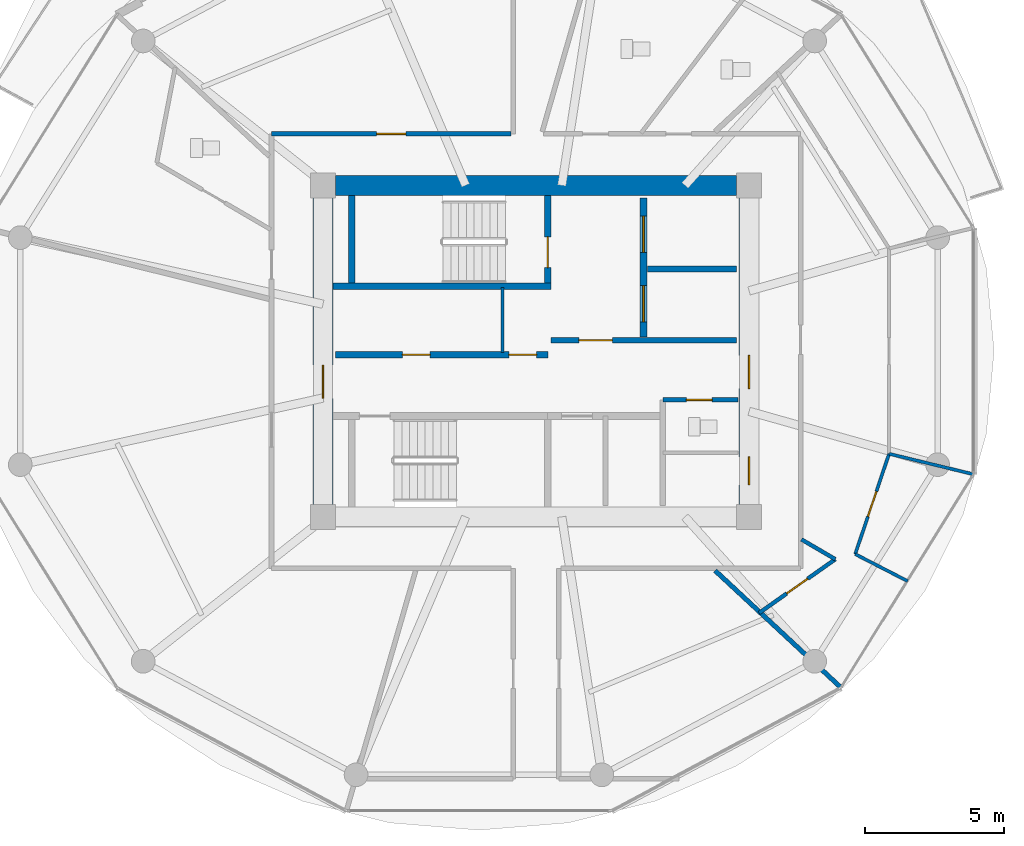
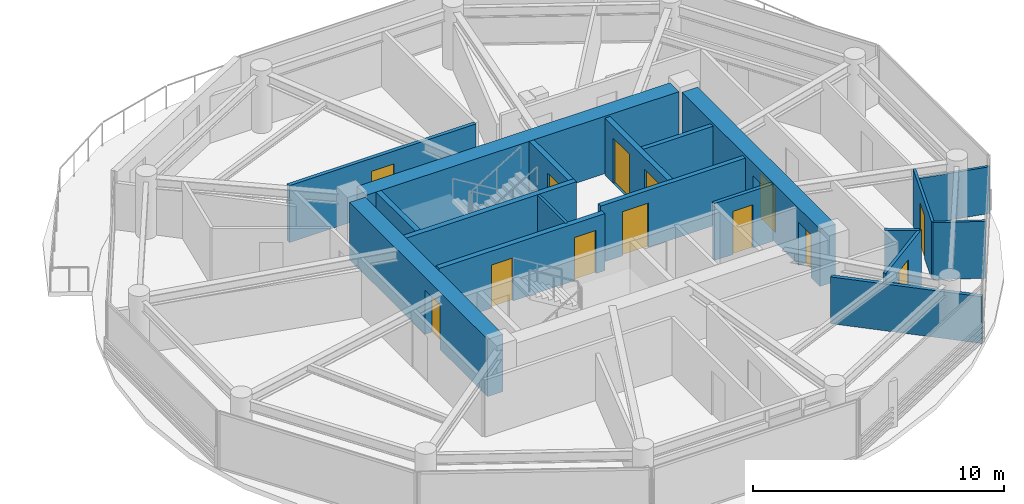
# One storey, part 16 of 24: 19 walls, 13 doors, 13 openings.
"""IFC4 building model written with IfcOpenShell, lengths in metres."""

from ifc_helpers import new_model, si_unit, direction, frame, frame_2d, origin, place, context, subcontext, project, spatial, rectangle, extrude, source, transform, mapped, material, layer, layer_set, type_object, type_shapes, element, fill, save


model = new_model("IFC4")

# Units and contexts
model_context = context("Model", 3, precision=1e-05, world=origin(), true_north=direction((0.0, 1.0)))
body_context = subcontext(model_context, "Body", "Model", "MODEL_VIEW")
ifc_project = project(units=[si_unit("LENGTHUNIT", "METRE"), si_unit("AREAUNIT", "SQUARE_METRE"), si_unit("VOLUMEUNIT", "CUBIC_METRE"), si_unit("PLANEANGLEUNIT", "RADIAN"), si_unit("MASSUNIT", "GRAM", prefix="KILO")], contexts=[model_context])

# Site, building, storey
site_placement = place(None, origin())
site = spatial("IfcSite", under=ifc_project, at=site_placement, CompositionType="ELEMENT")
building_placement = place(site_placement, origin())
building = spatial("IfcBuilding", under=site, at=building_placement, Name="Norrkilde Senior Care Towers", CompositionType="ELEMENT")
storey_placement = place(building_placement, frame((0.0, 0.0, 114.550048828125)))
storey = spatial("IfcBuildingStorey", under=building, at=storey_placement, Name="L35", CompositionType="ELEMENT", Elevation=114.550048828125)

# Wall
ifc_material_1 = material(Name="Concrete C60/75", Category="concrete")
ifc_layer_1 = layer(ifc_material_1, 0.719970703125)
ifc_layer_set_1 = layer_set([ifc_layer_1], Name="Concrete C60/75")
wall_type_1 = type_object("IfcWallType", Name="Core Shear Wall Z2 720", PredefinedType="SHEAR", material=ifc_layer_set_1)
shared_shape_1 = source(origin(), body_context, "Body", "SweptSolid", [
    extrude(rectangle(XDim=14.39990234375, YDim=0.719970703125, at=frame_2d((7.199951171875, 0.0))), origin(), (0.0, 0.0, 1.0), 2.7900390625),
])
wall_1_placement = place(storey_placement, frame((20.800048828125, 5.949951171875, 0.0), z_axis=(0.0, 0.0, 1.0), x_axis=(1.0, 0.0, 0.0)))
element("IfcWall", 1, at=wall_1_placement, inside=storey, type_object=wall_type_1, Name="L35 Core E North Shear Wall", PredefinedType="SHEAR", context=body_context, shape_type="MappedRepresentation", body=[
    mapped(shared_shape_1, transform((0.0, 0.0, 0.0), x_axis=(1.0, 0.0, 0.0), y_axis=(0.0, 1.0, 0.0), z_axis=(0.0, 0.0, 1.0), scale=1.0)),
])

# Wall, opening, door
shared_shape_2 = source(origin(), body_context, "Body", "SweptSolid", [
    extrude(rectangle(XDim=11.0, YDim=0.719970703125, at=frame_2d((5.5, 0.0))), origin(), (0.0, 0.0, 1.0), 2.7900390625),
])
type_shapes(wall_type_1, [shared_shape_1, shared_shape_2])
wall_2_placement = place(storey_placement, frame((20.35009765625, -5.5, 0.0), z_axis=(0.0, 0.0, 1.0), x_axis=(0.0, 1.0, 0.0)))
wall_2 = element("IfcWall", 2, at=wall_2_placement, inside=storey, type_object=wall_type_1, Name="L35 Core E West Shear Wall", PredefinedType="SHEAR", context=body_context, shape_type="MappedRepresentation", body=[
    mapped(shared_shape_2, transform((0.0, 0.0, 0.0), x_axis=(1.0, 0.0, 0.0), y_axis=(0.0, 1.0, 0.0), z_axis=(0.0, 0.0, 1.0), scale=1.0)),
])
opening_1_placement = place(wall_2_placement, frame((3.800048828125, 0.0, 0.0)))
opening_1 = element("IfcOpeningElement", 3, at=opening_1_placement, cuts=wall_2, Name="Opening D-04", PredefinedType="OPENING", context=body_context, shape_type="SweptSolid", body=[
    extrude(rectangle(XDim=1.199951171875, YDim=2.14990234375, at=frame_2d((0.60009765625, 1.074951171875))), frame((0.0, 0.369873046875, 0.0), z_axis=(0.0, -1.0, 0.0), x_axis=(1.0, 0.0, 0.0)), (0.0, 0.0, 1.0), 0.739990234375),
])
ifc_material_2 = material(Name="Galvanised Painted Steel", Category="steel")
door_type_1 = type_object("IfcDoorType", Name="Firefighting Lobby Fire Door 1200x2150", OperationType="NOTDEFINED", PredefinedType="DOOR", material=ifc_material_2)
shared_shape_3 = source(origin(), body_context, "Body", "SweptSolid", [
    extrude(rectangle(XDim=1.199951171875, YDim=2.14990234375, at=frame_2d((0.60009765625, 1.074951171875))), frame((0.0, 0.02490234375, 0.0), z_axis=(0.0, -1.0, 0.0), x_axis=(1.0, 0.0, 0.0)), (0.0, 0.0, 1.0), 0.050048828125),
])
type_shapes(door_type_1, [shared_shape_3])
door_1_placement = place(opening_1_placement, frame((1.199951171875, 0.0, 0.0), z_axis=(0.0, 0.0, 1.0), x_axis=(-1.0, 0.0, 0.0)))
door_1 = element("IfcDoor", 4, at=door_1_placement, inside=storey, type_object=door_type_1, Name="L35 Core E West Portal Door", OperationType="SINGLE_SWING_LEFT", OverallHeight=2.14990234375, OverallWidth=1.199951171875, PredefinedType="DOOR", context=body_context, shape_type="MappedRepresentation", body=[
    mapped(shared_shape_3, transform((0.0, 0.0, 0.0), x_axis=(1.0, 0.0, 0.0), y_axis=(0.0, 1.0, 0.0), z_axis=(0.0, 0.0, 1.0), scale=1.0)),
])
fill(opening_1, door_1)

# Wall, openings, doors
wall_3_placement = place(storey_placement, frame((35.64990234375, 5.5, 0.0), z_axis=(0.0, 0.0, 1.0), x_axis=(0.0, -1.0, 0.0)))
wall_3 = element("IfcWall", 5, at=wall_3_placement, inside=storey, type_object=wall_type_1, Name="L35 Core E East Shear Wall", PredefinedType="SHEAR", context=body_context, shape_type="MappedRepresentation", body=[
    mapped(shared_shape_2, transform((0.0, 0.0, 0.0), x_axis=(1.0, 0.0, 0.0), y_axis=(0.0, 1.0, 0.0), z_axis=(0.0, 0.0, 1.0), scale=1.0)),
])
opening_2_placement = place(wall_3_placement, frame((5.64990234375, 0.0, 0.0)))
opening_2 = element("IfcOpeningElement", 6, at=opening_2_placement, cuts=wall_3, Name="Opening D-04", PredefinedType="OPENING", context=body_context, shape_type="SweptSolid", body=[
    extrude(rectangle(XDim=1.199951171875, YDim=2.14990234375, at=frame_2d((0.60009765625, 1.074951171875))), frame((0.0, 0.369873046875, 0.0), z_axis=(0.0, -1.0, 0.0), x_axis=(1.0, 0.0, 0.0)), (0.0, 0.0, 1.0), 0.739990234375),
])
opening_3_placement = place(wall_3_placement, frame((9.300048828125, 0.0, 0.0)))
opening_3 = element("IfcOpeningElement", 7, at=opening_3_placement, cuts=wall_3, Name="Opening D-10", PredefinedType="OPENING", context=body_context, shape_type="SweptSolid", body=[
    extrude(rectangle(XDim=1.0, YDim=2.10009765625, at=frame_2d((0.5, 1.050048828125))), frame((0.0, 0.369873046875, 0.0), z_axis=(0.0, -1.0, 0.0), x_axis=(1.0, 0.0, 0.0)), (0.0, 0.0, 1.0), 0.739990234375),
])
door_2_placement = place(opening_2_placement, frame((1.199951171875, 0.0, 0.0), z_axis=(0.0, 0.0, 1.0), x_axis=(-1.0, 0.0, 0.0)))
door_2 = element("IfcDoor", 8, at=door_2_placement, inside=storey, type_object=door_type_1, Name="L35 Core E East Portal Door", OperationType="SINGLE_SWING_RIGHT", OverallHeight=2.14990234375, OverallWidth=1.199951171875, PredefinedType="DOOR", context=body_context, shape_type="MappedRepresentation", body=[
    mapped(shared_shape_3, transform((0.0, 0.0, 0.0), x_axis=(1.0, 0.0, 0.0), y_axis=(0.0, 1.0, 0.0), z_axis=(0.0, 0.0, 1.0), scale=1.0)),
])
fill(opening_2, door_2)
door_type_2 = type_object("IfcDoorType", Name="Plant and Riser Rated Door 1000x2100", OperationType="NOTDEFINED", PredefinedType="DOOR", material=ifc_material_2)
shared_shape_4 = source(origin(), body_context, "Body", "SweptSolid", [
    extrude(rectangle(XDim=1.0, YDim=2.10009765625, at=frame_2d((0.5, 1.050048828125))), frame((0.0, 0.02490234375, 0.0), z_axis=(0.0, -1.0, 0.0), x_axis=(1.0, 0.0, 0.0)), (0.0, 0.0, 1.0), 0.050048828125),
])
type_shapes(door_type_2, [shared_shape_4])
door_3_placement = place(opening_3_placement, frame((1.0, 0.0, 0.0), z_axis=(0.0, 0.0, 1.0), x_axis=(-1.0, 0.0, 0.0)))
door_3 = element("IfcDoor", 9, at=door_3_placement, inside=storey, type_object=door_type_2, Name="L35 Ventilation Riser E Door", OperationType="SINGLE_SWING_RIGHT", OverallHeight=2.10009765625, OverallWidth=1.0, PredefinedType="DOOR", context=body_context, shape_type="MappedRepresentation", body=[
    mapped(shared_shape_4, transform((0.0, 0.0, 0.0), x_axis=(1.0, 0.0, 0.0), y_axis=(0.0, 1.0, 0.0), z_axis=(0.0, 0.0, 1.0), scale=1.0)),
])
fill(opening_3, door_3)

ifc_material_3 = material(Name="Concrete C45/55", Category="concrete")
ifc_layer_2 = layer(ifc_material_3, 0.239990234375)
ifc_layer_set_2 = layer_set([ifc_layer_2], Name="Concrete C45/55")
wall_type_2 = type_object("IfcWallType", Name="Lift and Plant Rated Enclosure Partition 240", PredefinedType="PARTITIONING", material=ifc_layer_set_2)
shared_shape_5 = source(origin(), body_context, "Body", "SweptSolid", [
    extrude(rectangle(XDim=5.0, YDim=0.239990234375, at=frame_2d((2.5, 0.0))), origin(), (0.0, 0.0, 1.0), 2.77490234375),
])
wall_4_placement = place(storey_placement, frame((31.860107421875, 0.5, 0.0), z_axis=(0.0, 0.0, 1.0), x_axis=(0.0, 1.0, 0.0)))
wall_4 = element("IfcWall", 10, at=wall_4_placement, inside=storey, type_object=wall_type_2, Name="WL-INT-L35-E-FFLE", PredefinedType="PARTITIONING", context=body_context, shape_type="MappedRepresentation", body=[
    mapped(shared_shape_5, transform((0.0, 0.0, 0.0), x_axis=(1.0, 0.0, 0.0), y_axis=(0.0, 1.0, 0.0), z_axis=(0.0, 0.0, 1.0), scale=1.0)),
])
opening_4_placement = place(wall_4_placement, frame((3.050048828125, 0.0, 0.0)))
opening_4 = element("IfcOpeningElement", 11, at=opening_4_placement, cuts=wall_4, Name="Opening LD-02", PredefinedType="OPENING", context=body_context, shape_type="SweptSolid", body=[
    extrude(rectangle(XDim=1.300048828125, YDim=2.199951171875, at=frame_2d((0.64990234375, 1.10009765625))), frame((0.0, 0.1298828125, 0.0), z_axis=(0.0, -1.0, 0.0), x_axis=(1.0, 0.0, 0.0)), (0.0, 0.0, 1.0), 0.260009765625),
])
opening_5_placement = place(wall_4_placement, frame((0.550048828125, 0.0, 0.0)))
opening_5 = element("IfcOpeningElement", 12, at=opening_5_placement, cuts=wall_4, Name="Opening LD-02", PredefinedType="OPENING", context=body_context, shape_type="SweptSolid", body=[
    extrude(rectangle(XDim=1.300048828125, YDim=2.199951171875, at=frame_2d((0.64990234375, 1.10009765625))), frame((0.0, 0.1298828125, 0.0), z_axis=(0.0, -1.0, 0.0), x_axis=(1.0, 0.0, 0.0)), (0.0, 0.0, 1.0), 0.260009765625),
])
ifc_material_4 = material(Name="Stainless Steel", Category="steel")
door_type_3 = type_object("IfcDoorType", Name="Stretcher and FFL Landing Sliding Door 1300x2200", OperationType="NOTDEFINED", PredefinedType="DOOR", material=ifc_material_4)
shared_shape_6 = source(origin(), body_context, "Body", "SweptSolid", [
    extrude(rectangle(XDim=1.300048828125, YDim=2.199951171875, at=frame_2d((0.64990234375, 1.10009765625))), frame((0.0, 0.02490234375, 0.0), z_axis=(0.0, -1.0, 0.0), x_axis=(1.0, 0.0, 0.0)), (0.0, 0.0, 1.0), 0.050048828125),
])
type_shapes(door_type_3, [shared_shape_6])
door_4_placement = place(opening_4_placement, origin())
door_4 = element("IfcDoor", 13, at=door_4_placement, inside=storey, type_object=door_type_3, Name="L35 Firefighting Lift E1 Landing Door", OperationType="SLIDING_TO_LEFT", OverallHeight=2.199951171875, OverallWidth=1.300048828125, PredefinedType="DOOR", context=body_context, shape_type="MappedRepresentation", body=[
    mapped(shared_shape_6, transform((0.0, 0.0, 0.0), x_axis=(1.0, 0.0, 0.0), y_axis=(0.0, 1.0, 0.0), z_axis=(0.0, 0.0, 1.0), scale=1.0)),
])
fill(opening_4, door_4)
door_5_placement = place(opening_5_placement, origin())
door_5 = element("IfcDoor", 14, at=door_5_placement, inside=storey, type_object=door_type_3, Name="L35 Stretcher Lift E1 Landing Door", OperationType="SLIDING_TO_RIGHT", OverallHeight=2.199951171875, OverallWidth=1.300048828125, PredefinedType="DOOR", context=body_context, shape_type="MappedRepresentation", body=[
    mapped(shared_shape_6, transform((0.0, 0.0, 0.0), x_axis=(1.0, 0.0, 0.0), y_axis=(0.0, 1.0, 0.0), z_axis=(0.0, 0.0, 1.0), scale=1.0)),
])
fill(opening_5, door_5)

# Wall
ifc_layer_3 = layer(ifc_material_3, 0.199951171875)
ifc_layer_set_3 = layer_set([ifc_layer_3], Name="Concrete C45/55")
wall_type_3 = type_object("IfcWallType", Name="Shaft Division and Plant Partition 200", PredefinedType="PARTITIONING", material=ifc_layer_set_3)
shared_shape_7 = source(origin(), body_context, "Body", "SweptSolid", [
    extrude(rectangle(XDim=3.199951171875, YDim=0.199951171875, at=frame_2d((1.60009765625, 0.0))), origin(), (0.0, 0.0, 1.0), 2.77490234375),
])
type_shapes(wall_type_3, [shared_shape_7])
wall_5_placement = place(storey_placement, frame((32.0, 2.949951171875, 0.0), z_axis=(0.0, 0.0, 1.0), x_axis=(1.0, 0.0, 0.0)))
element("IfcWall", 15, at=wall_5_placement, inside=storey, type_object=wall_type_3, Name="WL-INT-L35-E-FFLDIV", PredefinedType="PARTITIONING", context=body_context, shape_type="MappedRepresentation", body=[
    mapped(shared_shape_7, transform((0.0, 0.0, 0.0), x_axis=(1.0, 0.0, 0.0), y_axis=(0.0, 1.0, 0.0), z_axis=(0.0, 0.0, 1.0), scale=1.0)),
])

# Wall, opening, door
ifc_layer_4 = layer(ifc_material_3, 0.2099609375)
ifc_layer_set_4 = layer_set([ifc_layer_4], Name="Concrete C45/55")
wall_type_4 = type_object("IfcWallType", Name="Firefighting Lobby Wall 210", PredefinedType="PARTITIONING", material=ifc_layer_set_4)
shared_shape_8 = source(origin(), body_context, "Body", "SweptSolid", [
    extrude(rectangle(XDim=6.659912109375, YDim=0.2099609375, at=frame_2d((3.330078125, 0.0))), origin(), (0.0, 0.0, 1.0), 2.77490234375),
])
type_shapes(wall_type_4, [shared_shape_8])
wall_6_placement = place(storey_placement, frame((28.5400390625, 0.389892578125, 0.0), z_axis=(0.0, 0.0, 1.0), x_axis=(1.0, 0.0, 0.0)))
wall_6 = element("IfcWall", 16, at=wall_6_placement, inside=storey, type_object=wall_type_4, Name="WL-INT-L35-E-FFLS", PredefinedType="PARTITIONING", context=body_context, shape_type="MappedRepresentation", body=[
    mapped(shared_shape_8, transform((0.0, 0.0, 0.0), x_axis=(1.0, 0.0, 0.0), y_axis=(0.0, 1.0, 0.0), z_axis=(0.0, 0.0, 1.0), scale=1.0)),
])
opening_6_placement = place(wall_6_placement, frame((1.0, 0.0, 0.0)))
opening_6 = element("IfcOpeningElement", 17, at=opening_6_placement, cuts=wall_6, Name="Opening D-04", PredefinedType="OPENING", context=body_context, shape_type="SweptSolid", body=[
    extrude(rectangle(XDim=1.199951171875, YDim=2.14990234375, at=frame_2d((0.60009765625, 1.074951171875))), frame((0.0, 0.114990234375, 0.0), z_axis=(0.0, -1.0, 0.0), x_axis=(1.0, 0.0, 0.0)), (0.0, 0.0, 1.0), 0.22998046875),
])
door_6_placement = place(opening_6_placement, frame((1.199951171875, 0.0, 0.0), z_axis=(0.0, 0.0, 1.0), x_axis=(-1.0, 0.0, 0.0)))
door_6 = element("IfcDoor", 18, at=door_6_placement, inside=storey, type_object=door_type_1, Name="L35 Firefighting Lobby E Door", OperationType="SINGLE_SWING_LEFT", OverallHeight=2.14990234375, OverallWidth=1.199951171875, PredefinedType="DOOR", context=body_context, shape_type="MappedRepresentation", body=[
    mapped(shared_shape_3, transform((0.0, 0.0, 0.0), x_axis=(1.0, 0.0, 0.0), y_axis=(0.0, 1.0, 0.0), z_axis=(0.0, 0.0, 1.0), scale=1.0)),
])
fill(opening_6, door_6)

# Wall, openings, doors
shared_shape_9 = source(origin(), body_context, "Body", "SweptSolid", [
    extrude(rectangle(XDim=7.619873046875, YDim=0.239990234375, at=frame_2d((3.81005859375, 0.0))), origin(), (0.0, 0.0, 1.0), 2.77490234375),
])
type_shapes(wall_type_2, [shared_shape_5, shared_shape_9])
wall_7_placement = place(storey_placement, frame((20.800048828125, -0.1298828125, 0.0), z_axis=(0.0, 0.0, 1.0), x_axis=(1.0, 0.0, 0.0)))
wall_7 = element("IfcWall", 19, at=wall_7_placement, inside=storey, type_object=wall_type_2, Name="WL-INT-L35-E-PKAS", PredefinedType="PARTITIONING", context=body_context, shape_type="MappedRepresentation", body=[
    mapped(shared_shape_9, transform((0.0, 0.0, 0.0), x_axis=(1.0, 0.0, 0.0), y_axis=(0.0, 1.0, 0.0), z_axis=(0.0, 0.0, 1.0), scale=1.0)),
])
opening_7_placement = place(wall_7_placement, frame((6.219970703125, 0.0, 0.0)))
opening_7 = element("IfcOpeningElement", 20, at=opening_7_placement, cuts=wall_7, Name="Opening D-10", PredefinedType="OPENING", context=body_context, shape_type="SweptSolid", body=[
    extrude(rectangle(XDim=1.0, YDim=2.10009765625, at=frame_2d((0.5, 1.050048828125))), frame((0.0, 0.1298828125, 0.0), z_axis=(0.0, -1.0, 0.0), x_axis=(1.0, 0.0, 0.0)), (0.0, 0.0, 1.0), 0.260009765625),
])
opening_8_placement = place(wall_7_placement, frame((2.39990234375, 0.0, 0.0)))
opening_8 = element("IfcOpeningElement", 21, at=opening_8_placement, cuts=wall_7, Name="Opening D-10", PredefinedType="OPENING", context=body_context, shape_type="SweptSolid", body=[
    extrude(rectangle(XDim=1.0, YDim=2.10009765625, at=frame_2d((0.5, 1.050048828125))), frame((0.0, 0.1298828125, 0.0), z_axis=(0.0, -1.0, 0.0), x_axis=(1.0, 0.0, 0.0)), (0.0, 0.0, 1.0), 0.260009765625),
])
door_7_placement = place(opening_7_placement, frame((1.0, 0.0, 0.0), z_axis=(0.0, 0.0, 1.0), x_axis=(-1.0, 0.0, 0.0)))
door_7 = element("IfcDoor", 22, at=door_7_placement, inside=storey, type_object=door_type_2, Name="L35 Electrical Riser E Door", OperationType="SINGLE_SWING_LEFT", OverallHeight=2.10009765625, OverallWidth=1.0, PredefinedType="DOOR", context=body_context, shape_type="MappedRepresentation", body=[
    mapped(shared_shape_4, transform((0.0, 0.0, 0.0), x_axis=(1.0, 0.0, 0.0), y_axis=(0.0, 1.0, 0.0), z_axis=(0.0, 0.0, 1.0), scale=1.0)),
])
fill(opening_7, door_7)
door_8_placement = place(opening_8_placement, frame((1.0, 0.0, 0.0), z_axis=(0.0, 0.0, 1.0), x_axis=(-1.0, 0.0, 0.0)))
door_8 = element("IfcDoor", 23, at=door_8_placement, inside=storey, type_object=door_type_2, Name="L35 Clean Supply Store E Door", OperationType="SINGLE_SWING_LEFT", OverallHeight=2.10009765625, OverallWidth=1.0, PredefinedType="DOOR", context=body_context, shape_type="MappedRepresentation", body=[
    mapped(shared_shape_4, transform((0.0, 0.0, 0.0), x_axis=(1.0, 0.0, 0.0), y_axis=(0.0, 1.0, 0.0), z_axis=(0.0, 0.0, 1.0), scale=1.0)),
])
fill(opening_8, door_8)

# Wall
ifc_material_5 = material(Name="Gypsum Acoustic Board")
ifc_layer_5 = layer(ifc_material_5, 0.114990234375)
ifc_layer_set_5 = layer_set([ifc_layer_5], Name="Gypsum Acoustic Board")
wall_type_5 = type_object("IfcWallType", Name="Internal Room Partition 115", PredefinedType="PARTITIONING", material=ifc_layer_set_5)
shared_shape_10 = source(origin(), body_context, "Body", "SweptSolid", [
    extrude(rectangle(XDim=2.330078125, YDim=0.114990234375, at=frame_2d((1.1650390625, 0.0))), origin(), (0.0, 0.0, 1.0), 2.77490234375),
])
wall_8_placement = place(storey_placement, frame((26.7900390625, -0.050048828125, 0.0), z_axis=(0.0, 0.0, 1.0), x_axis=(0.0, 1.0, 0.0)))
element("IfcWall", 24, at=wall_8_placement, inside=storey, type_object=wall_type_5, Name="WL-INT-L35-E-RISW", PredefinedType="PARTITIONING", context=body_context, shape_type="MappedRepresentation", body=[
    mapped(shared_shape_10, transform((0.0, 0.0, 0.0), x_axis=(1.0, 0.0, 0.0), y_axis=(0.0, 1.0, 0.0), z_axis=(0.0, 0.0, 1.0), scale=1.0)),
])

# Wall, opening, door
ifc_layer_6 = layer(ifc_material_5, 0.1650390625)
ifc_layer_set_6 = layer_set([ifc_layer_6], Name="Gypsum Acoustic Board")
wall_type_6 = type_object("IfcWallType", Name="Corridor Rated Partition 165", PredefinedType="PARTITIONING", material=ifc_layer_set_6)
shared_shape_11 = source(origin(), body_context, "Body", "SweptSolid", [
    extrude(rectangle(XDim=2.699951171875, YDim=0.1650390625, at=frame_2d((1.35009765625, 0.0))), origin(), (0.0, 0.0, 1.0), 2.77490234375),
])
wall_9_placement = place(storey_placement, frame((32.550048828125, -1.75, 0.0), z_axis=(0.0, 0.0, 1.0), x_axis=(1.0, 0.0, 0.0)))
wall_9 = element("IfcWall", 25, at=wall_9_placement, inside=storey, type_object=wall_type_6, Name="WL-INT-L35-E-CSN", PredefinedType="PARTITIONING", context=body_context, shape_type="MappedRepresentation", body=[
    mapped(shared_shape_11, transform((0.0, 0.0, 0.0), x_axis=(1.0, 0.0, 0.0), y_axis=(0.0, 1.0, 0.0), z_axis=(0.0, 0.0, 1.0), scale=1.0)),
])
opening_9_placement = place(wall_9_placement, frame((0.85009765625, 0.0, 0.0)))
opening_9 = element("IfcOpeningElement", 26, at=opening_9_placement, cuts=wall_9, Name="Opening D-12", PredefinedType="OPENING", context=body_context, shape_type="SweptSolid", body=[
    extrude(rectangle(XDim=0.925048828125, YDim=2.10009765625, at=frame_2d((0.46240234375, 1.050048828125))), frame((0.0, 0.092529296875, 0.0), z_axis=(0.0, -1.0, 0.0), x_axis=(1.0, 0.0, 0.0)), (0.0, 0.0, 1.0), 0.18505859375),
])
door_type_4 = type_object("IfcDoorType", Name="Core Wet Room Rated Door 925x2100", OperationType="NOTDEFINED", PredefinedType="DOOR", material=ifc_material_2)
shared_shape_12 = source(origin(), body_context, "Body", "SweptSolid", [
    extrude(rectangle(XDim=0.925048828125, YDim=2.10009765625, at=frame_2d((0.46240234375, 1.050048828125))), frame((0.0, 0.02490234375, 0.0), z_axis=(0.0, -1.0, 0.0), x_axis=(1.0, 0.0, 0.0)), (0.0, 0.0, 1.0), 0.050048828125),
])
type_shapes(door_type_4, [shared_shape_12])
door_9_placement = place(opening_9_placement, origin())
door_9 = element("IfcDoor", 27, at=door_9_placement, inside=storey, type_object=door_type_4, Name="L35 Staff WC E Door", OperationType="SINGLE_SWING_LEFT", OverallHeight=2.10009765625, OverallWidth=0.925048828125, PredefinedType="DOOR", context=body_context, shape_type="MappedRepresentation", body=[
    mapped(shared_shape_12, transform((0.0, 0.0, 0.0), x_axis=(1.0, 0.0, 0.0), y_axis=(0.0, 1.0, 0.0), z_axis=(0.0, 0.0, 1.0), scale=1.0)),
])
fill(opening_9, door_9)

# Walls
ifc_layer_7 = layer(ifc_material_3, 0.239990234375)
ifc_layer_set_7 = layer_set([ifc_layer_7], Name="Concrete C45/55")
wall_type_7 = type_object("IfcWallType", Name="Shaft and Stair Enclosure Wall 240", PredefinedType="PARTITIONING", material=ifc_layer_set_7)
shared_shape_13 = source(origin(), body_context, "Body", "SweptSolid", [
    extrude(rectangle(XDim=7.830078125, YDim=0.239990234375, at=frame_2d((3.9150390625, 0.0))), origin(), (0.0, 0.0, 1.0), 2.7900390625),
])
wall_10_placement = place(storey_placement, frame((20.7099609375, 2.330078125, 0.0), z_axis=(0.0, 0.0, 1.0), x_axis=(1.0, 0.0, 0.0)))
element("IfcWall", 28, at=wall_10_placement, inside=storey, type_object=wall_type_7, Name="WL-INT-L35-E-ST1S", PredefinedType="PARTITIONING", context=body_context, shape_type="MappedRepresentation", body=[
    mapped(shared_shape_13, transform((0.0, 0.0, 0.0), x_axis=(1.0, 0.0, 0.0), y_axis=(0.0, 1.0, 0.0), z_axis=(0.0, 0.0, 1.0), scale=1.0)),
])
shared_shape_14 = source(origin(), body_context, "Body", "SweptSolid", [
    extrude(rectangle(XDim=3.14013671875, YDim=0.239990234375, at=frame_2d((1.570068359375, 0.0))), origin(), (0.0, 0.0, 1.0), 2.7900390625),
])
type_shapes(wall_type_7, [shared_shape_13, shared_shape_14])
wall_11_placement = place(storey_placement, frame((21.3798828125, 2.449951171875, 0.0), z_axis=(0.0, 0.0, 1.0), x_axis=(0.0, 1.0, 0.0)))
element("IfcWall", 29, at=wall_11_placement, inside=storey, type_object=wall_type_7, Name="WL-INT-L35-E-ST1W", PredefinedType="PARTITIONING", context=body_context, shape_type="MappedRepresentation", body=[
    mapped(shared_shape_14, transform((0.0, 0.0, 0.0), x_axis=(1.0, 0.0, 0.0), y_axis=(0.0, 1.0, 0.0), z_axis=(0.0, 0.0, 1.0), scale=1.0)),
])

# Wall, opening, door
wall_12_placement = place(storey_placement, frame((28.419921875, 2.449951171875, 0.0), z_axis=(0.0, 0.0, 1.0), x_axis=(0.0, 1.0, 0.0)))
wall_12 = element("IfcWall", 30, at=wall_12_placement, inside=storey, type_object=wall_type_7, Name="WL-INT-L35-E-ST1E", PredefinedType="PARTITIONING", context=body_context, shape_type="MappedRepresentation", body=[
    mapped(shared_shape_14, transform((0.0, 0.0, 0.0), x_axis=(1.0, 0.0, 0.0), y_axis=(0.0, 1.0, 0.0), z_axis=(0.0, 0.0, 1.0), scale=1.0)),
])
opening_10_placement = place(wall_12_placement, frame((0.550048828125, 0.0, 0.0)))
opening_10 = element("IfcOpeningElement", 31, at=opening_10_placement, cuts=wall_12, Name="Opening D-03", PredefinedType="OPENING", context=body_context, shape_type="SweptSolid", body=[
    extrude(rectangle(XDim=1.10009765625, YDim=2.14990234375, at=frame_2d((0.550048828125, 1.074951171875))), frame((0.0, 0.1298828125, 0.0), z_axis=(0.0, -1.0, 0.0), x_axis=(1.0, 0.0, 0.0)), (0.0, 0.0, 1.0), 0.260009765625),
])
door_type_5 = type_object("IfcDoorType", Name="Stairwell Protected Fire Door 1100x2150", OperationType="NOTDEFINED", PredefinedType="DOOR", material=ifc_material_2)
shared_shape_15 = source(origin(), body_context, "Body", "SweptSolid", [
    extrude(rectangle(XDim=1.10009765625, YDim=2.14990234375, at=frame_2d((0.550048828125, 1.074951171875))), frame((0.0, 0.02490234375, 0.0), z_axis=(0.0, -1.0, 0.0), x_axis=(1.0, 0.0, 0.0)), (0.0, 0.0, 1.0), 0.050048828125),
])
type_shapes(door_type_5, [shared_shape_15])
door_10_placement = place(opening_10_placement, origin())
door_10 = element("IfcDoor", 32, at=door_10_placement, inside=storey, type_object=door_type_5, Name="L35 Stair E1 Fire Door", OperationType="SINGLE_SWING_LEFT", OverallHeight=2.14990234375, OverallWidth=1.10009765625, PredefinedType="DOOR", context=body_context, shape_type="MappedRepresentation", body=[
    mapped(shared_shape_15, transform((0.0, 0.0, 0.0), x_axis=(1.0, 0.0, 0.0), y_axis=(0.0, 1.0, 0.0), z_axis=(0.0, 0.0, 1.0), scale=1.0)),
])
fill(opening_10, door_10)

shared_shape_16 = source(origin(), body_context, "Body", "SweptSolid", [
    extrude(rectangle(XDim=8.60009765625, YDim=0.1650390625, at=frame_2d((4.300048828125, 0.0))), origin(), (0.0, 0.0, 1.0), 2.77490234375),
])
wall_13_placement = place(storey_placement, frame((18.5, 7.800048828125, 0.0), z_axis=(0.0, 0.0, 1.0), x_axis=(1.0, 0.0, 0.0)))
wall_13 = element("IfcWall", 33, at=wall_13_placement, inside=storey, type_object=wall_type_6, Name="WL-INT-L35-E-CRW-N-0", PredefinedType="PARTITIONING", context=body_context, shape_type="MappedRepresentation", body=[
    mapped(shared_shape_16, transform((0.0, 0.0, 0.0), x_axis=(1.0, 0.0, 0.0), y_axis=(0.0, 1.0, 0.0), z_axis=(0.0, 0.0, 1.0), scale=1.0)),
])
opening_11_placement = place(wall_13_placement, frame((3.77490234375, 0.0, 0.0)))
opening_11 = element("IfcOpeningElement", 34, at=opening_11_placement, cuts=wall_13, Name="Opening D-06", PredefinedType="OPENING", context=body_context, shape_type="SweptSolid", body=[
    extrude(rectangle(XDim=1.050048828125, YDim=2.14990234375, at=frame_2d((0.52490234375, 1.074951171875))), frame((0.0, 0.092529296875, 0.0), z_axis=(0.0, -1.0, 0.0), x_axis=(1.0, 0.0, 0.0)), (0.0, 0.0, 1.0), 0.18505859375),
])
ifc_material_6 = material(Name="Nordic Ash Timber", Category="wood")
door_type_6 = type_object("IfcDoorType", Name="Apartment Entrance Fire Door 1050x2150", OperationType="NOTDEFINED", PredefinedType="DOOR", material=ifc_material_6)
shared_shape_17 = source(origin(), body_context, "Body", "SweptSolid", [
    extrude(rectangle(XDim=1.050048828125, YDim=2.14990234375, at=frame_2d((0.52490234375, 1.074951171875))), frame((0.0, 0.02490234375, 0.0), z_axis=(0.0, -1.0, 0.0), x_axis=(1.0, 0.0, 0.0)), (0.0, 0.0, 1.0), 0.050048828125),
])
type_shapes(door_type_6, [shared_shape_17])
door_11_placement = place(opening_11_placement, frame((1.050048828125, 0.0, 0.0), z_axis=(0.0, 0.0, 1.0), x_axis=(-1.0, 0.0, 0.0)))
door_11 = element("IfcDoor", 35, at=door_11_placement, inside=storey, type_object=door_type_6, Name="L35 Reading Lounge NWL Door", OperationType="SINGLE_SWING_RIGHT", OverallHeight=2.14990234375, OverallWidth=1.050048828125, PredefinedType="DOOR", context=body_context, shape_type="MappedRepresentation", body=[
    mapped(shared_shape_17, transform((0.0, 0.0, 0.0), x_axis=(1.0, 0.0, 0.0), y_axis=(0.0, 1.0, 0.0), z_axis=(0.0, 0.0, 1.0), scale=1.0)),
])
fill(opening_11, door_11)

# Walls
shared_shape_18 = source(origin(), body_context, "Body", "SweptSolid", [
    extrude(rectangle(XDim=6.186767578125, YDim=0.1650390625, at=frame_2d((3.09326171875, 0.0))), origin(), (0.0, 0.0, 1.0), 2.27490234375),
])
type_shapes(wall_type_6, [shared_shape_11, shared_shape_16, shared_shape_18])
wall_14_placement = place(storey_placement, frame((34.428955078125, -7.8798828125, 0.0), z_axis=(0.0, 0.0, 1.0), x_axis=(0.732501077882, -0.680765870841, 0.0)))
element("IfcWall", 36, at=wall_14_placement, inside=storey, type_object=wall_type_6, Name="WL-INT-L35-E-DEM-10-0", PredefinedType="PARTITIONING", context=body_context, shape_type="MappedRepresentation", body=[
    mapped(shared_shape_18, transform((0.0, 0.0, 0.0), x_axis=(1.0, 0.0, 0.0), y_axis=(0.0, 1.0, 0.0), z_axis=(0.0, 0.0, 1.0), scale=1.0)),
])
ifc_layer_8 = layer(ifc_material_5, 0.139892578125)
ifc_layer_set_8 = layer_set([ifc_layer_8], Name="Gypsum Acoustic Board")
wall_type_8 = type_object("IfcWallType", Name="En-suite Wet Room Wall 140", PredefinedType="PARTITIONING", material=ifc_layer_set_8)
shared_shape_19 = source(origin(), body_context, "Body", "SweptSolid", [
    extrude(rectangle(XDim=1.407470703125, YDim=0.139892578125, at=frame_2d((0.70361328125, 0.0))), origin(), (0.0, 0.0, 1.0), 2.77490234375),
])
wall_15_placement = place(storey_placement, frame((37.530029296875, -6.761962890625, 0.0), z_axis=(0.0, 0.0, 1.0), x_axis=(0.863539718977, -0.504280828258, 0.0)))
element("IfcWall", 37, at=wall_15_placement, inside=storey, type_object=wall_type_8, Name="WL-INT-L35-E-UBTS-10", PredefinedType="PARTITIONING", context=body_context, shape_type="MappedRepresentation", body=[
    mapped(shared_shape_19, transform((0.0, 0.0, 0.0), x_axis=(1.0, 0.0, 0.0), y_axis=(0.0, 1.0, 0.0), z_axis=(0.0, 0.0, 1.0), scale=1.0)),
])

# Wall, opening, door
shared_shape_20 = source(origin(), body_context, "Body", "SweptSolid", [
    extrude(rectangle(XDim=3.346923828125, YDim=0.139892578125, at=frame_2d((1.67333984375, 0.0))), origin(), (0.0, 0.0, 1.0), 2.77490234375),
])
type_shapes(wall_type_8, [shared_shape_19, shared_shape_20])
wall_16_placement = place(storey_placement, frame((38.745361328125, -7.4716796875, 0.0), z_axis=(0.0, 0.0, 1.0), x_axis=(-0.81705680263, -0.576557179537, 0.0)))
wall_16 = element("IfcWall", 38, at=wall_16_placement, inside=storey, type_object=wall_type_8, Name="WL-INT-L35-E-UBTF-10", PredefinedType="PARTITIONING", context=body_context, shape_type="MappedRepresentation", body=[
    mapped(shared_shape_20, transform((0.0, 0.0, 0.0), x_axis=(1.0, 0.0, 0.0), y_axis=(0.0, 1.0, 0.0), z_axis=(0.0, 0.0, 1.0), scale=1.0)),
])
opening_12_placement = place(wall_16_placement, frame((1.213623046875, 0.0, 0.0)))
opening_12 = element("IfcOpeningElement", 39, at=opening_12_placement, cuts=wall_16, Name="Opening D-08", PredefinedType="OPENING", context=body_context, shape_type="SweptSolid", body=[
    extrude(rectangle(XDim=0.919921875, YDim=2.10009765625, at=frame_2d((0.4599609375, 1.050048828125))), frame((0.0, 0.079833984375, 0.0), z_axis=(0.0, -1.0, 0.0), x_axis=(1.0, 0.0, 0.0)), (0.0, 0.0, 1.0), 0.159912109375),
])
door_type_7 = type_object("IfcDoorType", Name="Accessible Wet Room Door 920x2100", OperationType="NOTDEFINED", PredefinedType="DOOR", material=ifc_material_6)
shared_shape_21 = source(origin(), body_context, "Body", "SweptSolid", [
    extrude(rectangle(XDim=0.919921875, YDim=2.10009765625, at=frame_2d((0.4599609375, 1.050048828125))), frame((0.0, 0.02490234375, 0.0), z_axis=(0.0, -1.0, 0.0), x_axis=(1.0, 0.0, 0.0)), (0.0, 0.0, 1.0), 0.050048828125),
])
type_shapes(door_type_7, [shared_shape_21])
door_12_placement = place(opening_12_placement, origin())
door_12 = element("IfcDoor", 40, at=door_12_placement, inside=storey, type_object=door_type_7, Name="Apartment 35C Bathroom Door", OperationType="SINGLE_SWING_RIGHT", OverallHeight=2.10009765625, OverallWidth=0.919921875, PredefinedType="DOOR", context=body_context, shape_type="MappedRepresentation", body=[
    mapped(shared_shape_21, transform((0.0, 0.0, 0.0), x_axis=(1.0, 0.0, 0.0), y_axis=(0.0, 1.0, 0.0), z_axis=(0.0, 0.0, 1.0), scale=1.0)),
])
fill(opening_12, door_12)

# Walls
shared_shape_22 = source(origin(), body_context, "Body", "SweptSolid", [
    extrude(rectangle(XDim=3.13330078125, YDim=0.114990234375, at=frame_2d((1.566650390625, 0.0))), origin(), (0.0, 0.0, 1.0), 2.27490234375),
])
wall_17_placement = place(storey_placement, frame((40.677978515625, -3.687744140625, 0.0), z_axis=(0.0, 0.0, 1.0), x_axis=(0.971863619682, -0.235544273414, 0.0)))
element("IfcWall", 41, at=wall_17_placement, inside=storey, type_object=wall_type_5, Name="WL-INT-L35-E-UBR-10-1", PredefinedType="PARTITIONING", context=body_context, shape_type="MappedRepresentation", body=[
    mapped(shared_shape_22, transform((0.0, 0.0, 0.0), x_axis=(1.0, 0.0, 0.0), y_axis=(0.0, 1.0, 0.0), z_axis=(0.0, 0.0, 1.0), scale=1.0)),
])
shared_shape_23 = source(origin(), body_context, "Body", "SweptSolid", [
    extrude(rectangle(XDim=2.1171875, YDim=0.114990234375, at=frame_2d((1.05859375, 0.0))), origin(), (0.0, 0.0, 1.0), 2.77490234375),
])
wall_18_placement = place(storey_placement, frame((39.459716796875, -7.288818359375, 0.0), z_axis=(0.0, 0.0, 1.0), x_axis=(0.888941834945, -0.45802010227, 0.0)))
element("IfcWall", 42, at=wall_18_placement, inside=storey, type_object=wall_type_5, Name="WL-INT-L35-E-UKTS-10", PredefinedType="PARTITIONING", context=body_context, shape_type="MappedRepresentation", body=[
    mapped(shared_shape_23, transform((0.0, 0.0, 0.0), x_axis=(1.0, 0.0, 0.0), y_axis=(0.0, 1.0, 0.0), z_axis=(0.0, 0.0, 1.0), scale=1.0)),
])

# Wall, opening, door
shared_shape_24 = source(origin(), body_context, "Body", "SweptSolid", [
    extrude(rectangle(XDim=3.80126953125, YDim=0.114990234375, at=frame_2d((1.900634765625, 0.0))), origin(), (0.0, 0.0, 1.0), 2.77490234375),
])
type_shapes(wall_type_5, [shared_shape_10, shared_shape_22, shared_shape_23, shared_shape_24])
wall_19_placement = place(storey_placement, frame((39.459716796875, -7.288818359375, 0.0), z_axis=(0.0, 0.0, 1.0), x_axis=(0.320097904666, 0.947384468644, 0.0)))
wall_19 = element("IfcWall", 43, at=wall_19_placement, inside=storey, type_object=wall_type_5, Name="WL-INT-L35-E-UKTF-10", PredefinedType="PARTITIONING", context=body_context, shape_type="MappedRepresentation", body=[
    mapped(shared_shape_24, transform((0.0, 0.0, 0.0), x_axis=(1.0, 0.0, 0.0), y_axis=(0.0, 1.0, 0.0), z_axis=(0.0, 0.0, 1.0), scale=1.0)),
])
opening_13_placement = place(wall_19_placement, frame((1.42578125, 0.0, 0.0)))
opening_13 = element("IfcOpeningElement", 44, at=opening_13_placement, cuts=wall_19, Name="Opening D-07", PredefinedType="OPENING", context=body_context, shape_type="SweptSolid", body=[
    extrude(rectangle(XDim=0.949951171875, YDim=2.10009765625, at=frame_2d((0.47509765625, 1.050048828125))), frame((0.0, 0.0673828125, 0.0), z_axis=(0.0, -1.0, 0.0), x_axis=(1.0, 0.0, 0.0)), (0.0, 0.0, 1.0), 0.135009765625),
])
door_type_8 = type_object("IfcDoorType", Name="Internal Suite Bedroom Door 950x2100", OperationType="NOTDEFINED", PredefinedType="DOOR", material=ifc_material_6)
shared_shape_25 = source(origin(), body_context, "Body", "SweptSolid", [
    extrude(rectangle(XDim=0.949951171875, YDim=2.10009765625, at=frame_2d((0.47509765625, 1.050048828125))), frame((0.0, 0.02490234375, 0.0), z_axis=(0.0, -1.0, 0.0), x_axis=(1.0, 0.0, 0.0)), (0.0, 0.0, 1.0), 0.050048828125),
])
type_shapes(door_type_8, [shared_shape_25])
door_13_placement = place(opening_13_placement, frame((0.949951171875, 0.0, 0.0), z_axis=(0.0, 0.0, 1.0), x_axis=(-1.0, 0.0, 0.0)))
door_13 = element("IfcDoor", 45, at=door_13_placement, inside=storey, type_object=door_type_8, Name="Apartment 35C Kitchen Door", OperationType="SINGLE_SWING_LEFT", OverallHeight=2.10009765625, OverallWidth=0.949951171875, PredefinedType="DOOR", context=body_context, shape_type="MappedRepresentation", body=[
    mapped(shared_shape_25, transform((0.0, 0.0, 0.0), x_axis=(1.0, 0.0, 0.0), y_axis=(0.0, 1.0, 0.0), z_axis=(0.0, 0.0, 1.0), scale=1.0)),
])
fill(opening_13, door_13)

save(model, "model.ifc")
